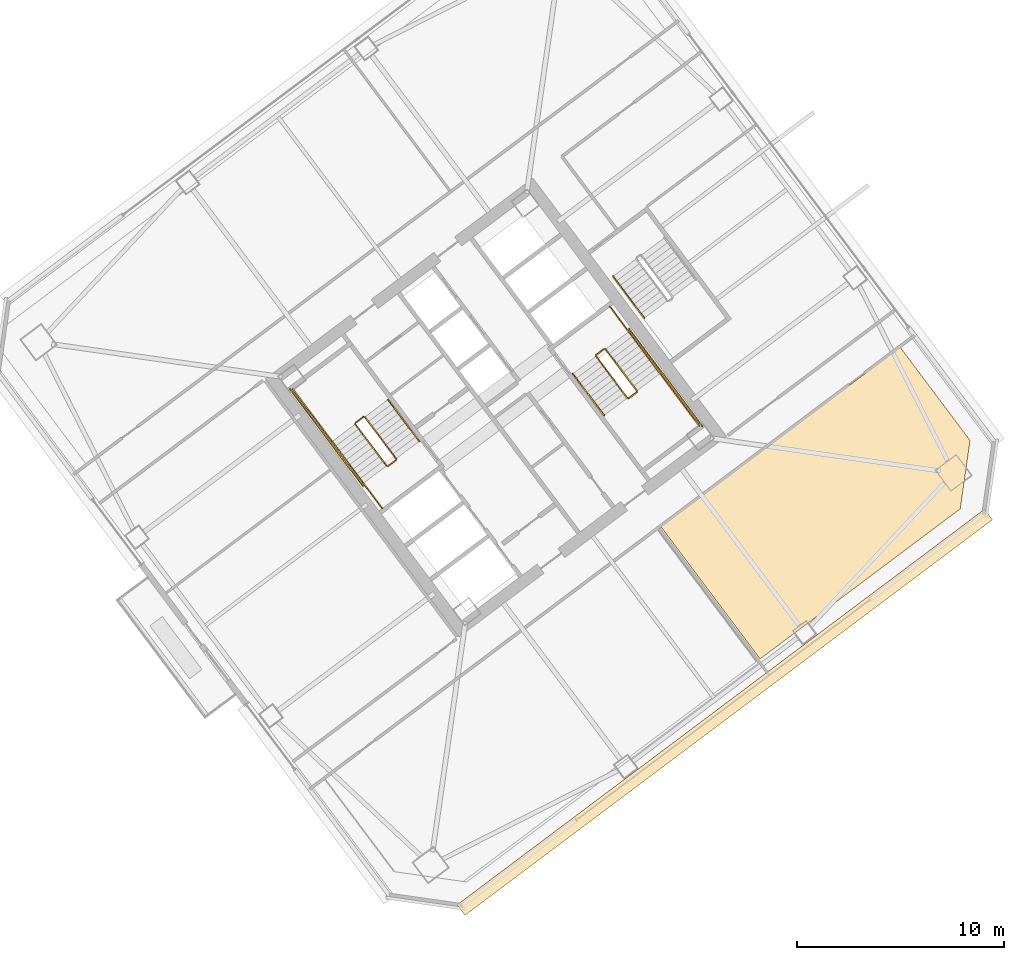
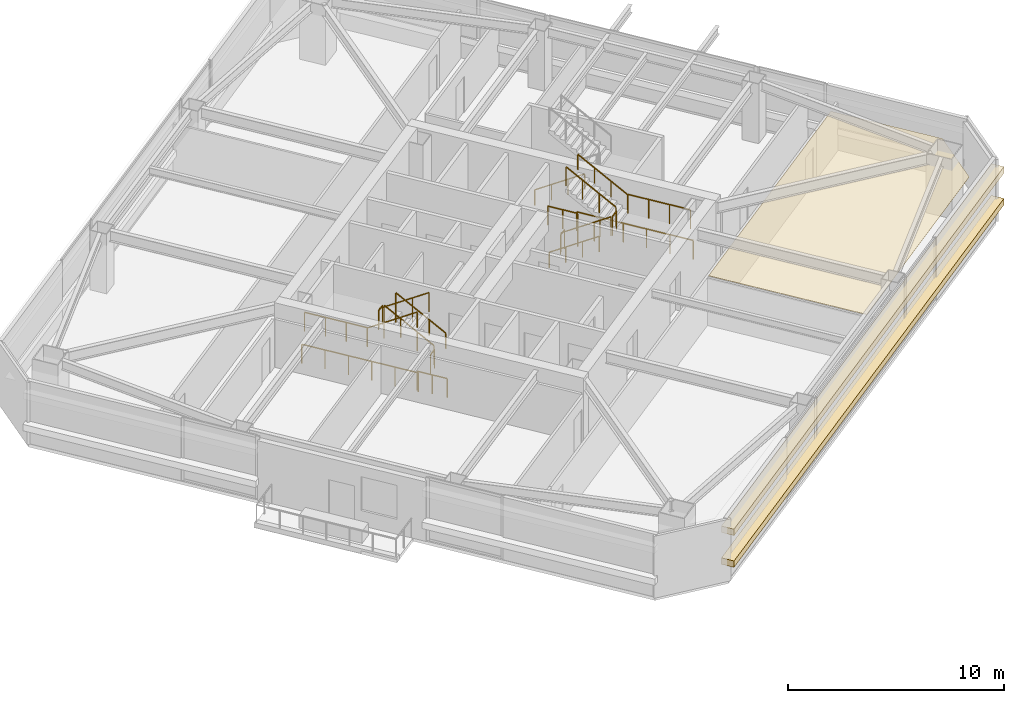
# One storey, part 38 of 40: 19 railings, 3 coverings.
"""IFC4 building model written with IfcOpenShell, lengths in metres."""

from ifc_helpers import new_model, si_unit, direction, frame, origin, origin_2d, place, context, subcontext, project, spatial, polyline, rectangle, outline, extrude, material, layer, layer_set, type_object, element, save


model = new_model("IFC4")

# Units and contexts
model_context = context("Model", 3, precision=1e-05, world=origin(), true_north=direction((0.0, 1.0)))
body_context = subcontext(model_context, "Body", "Model", "MODEL_VIEW")
ifc_project = project(units=[si_unit("LENGTHUNIT", "METRE"), si_unit("AREAUNIT", "SQUARE_METRE"), si_unit("VOLUMEUNIT", "CUBIC_METRE"), si_unit("PLANEANGLEUNIT", "RADIAN"), si_unit("MASSUNIT", "GRAM", prefix="KILO")], contexts=[model_context])

# Site, building, storey
site_placement = place(None, origin())
site = spatial("IfcSite", under=ifc_project, at=site_placement, CompositionType="ELEMENT")
building_placement = place(site_placement, origin())
building = spatial("IfcBuilding", under=site, at=building_placement, Name="Tashvorn Skyway Center", CompositionType="ELEMENT")
storey_placement = place(building_placement, frame((0.0, 0.0, 142.800048828125)))
storey = spatial("IfcBuildingStorey", under=building, at=storey_placement, Name="L38", CompositionType="ELEMENT", Elevation=142.800048828125)

# Coverings
ifc_material_1 = material(Name="Mineral-fibre acoustic ceiling tile on suspended grid")
ifc_layer_1 = layer(ifc_material_1, 0.02001953125)
ifc_layer_set_1 = layer_set([ifc_layer_1], Name="Mineral-fibre acoustic ceiling tile on suspended grid")
covering_type_1 = type_object("IfcCoveringType", Name="COV-CEIL-20", PredefinedType="CEILING", material=ifc_layer_set_1)
covering_placement = place(storey_placement, frame((0.0, 0.0, 2.702880859375)))
element("IfcCovering", 1, at=covering_placement, inside=storey, type_object=covering_type_1, Name="Tower 2 L38 Reading Lounge Acoustic Ceiling", PredefinedType="CEILING", context=body_context, shape_type="SweptSolid", body=[
    extrude(outline(polyline([(126.763916015625, 19.847900390625), (121.969970703125, 26.239990234375), (133.5380859375, 34.916015625), (136.916015625, 30.412109375), (136.444091796875, 27.10791015625), (126.763916015625, 19.847900390625)])), origin(), (0.0, 0.0, 1.0), 0.02001953125),
])
ifc_material_2 = material(Name="Perforated ceramic-coated bronze aluminium solar screen", Category="aluminium")
ifc_layer_2 = layer(ifc_material_2, 0.85009765625)
ifc_layer_set_2 = layer_set([ifc_layer_2], Name="Perforated ceramic-coated bronze aluminium solar screen")
covering_type_2 = type_object("IfcCoveringType", Name="COV-SOLAR-BAND", PredefinedType="CLADDING", material=ifc_layer_set_2)
for number, where, z_axis, x_axis, name in (
    (2, (125.052001953125, 17.263916015625, 0.919921875), (0.0, 0.0, 1.0), (-0.799999996291, -0.600000004945, 0.0), "L38 Perforated Ceramic-Metal Solar Screen Louvre Band South 1"),
    (3, (125.052001953125, 17.263916015625, 2.7197265625), (0.0, 0.0, 1.0), (-0.799999996291, -0.600000004945, 0.0), "L38 Perforated Ceramic-Metal Solar Screen Louvre Band South 2"),
):
    element("IfcCovering", number, at=place(storey_placement, frame(where, z_axis=z_axis, x_axis=x_axis)), inside=storey, type_object=covering_type_2, Name=name, PredefinedType="CLADDING", context=body_context, shape_type="SweptSolid", body=[
        extrude(rectangle(XDim=31.8798828125, YDim=0.639892578125, at=origin_2d()), origin(), (0.0, 0.0, 1.0), 0.360107421875),
    ])

# Railings
ifc_material_3 = material(Name="Brushed stainless steel 316", Category="steel")
railing_type_1 = type_object("IfcRailingType", Name="RAIL-HAND-920", PredefinedType="HANDRAIL", material=ifc_material_3)
railing_1_placement = place(storey_placement, frame((110.2880859375, 30.365966796875, 0.177490234375)))
element("IfcRailing", 4, at=railing_1_placement, inside=storey, type_object=railing_type_1, Name="L38 ST-T2-1 stair handrail 1", PredefinedType="HANDRAIL", context=body_context, shape_type="SweptSolid", body=[
    extrude(rectangle(XDim=0.048095703125, YDim=0.048095703125, at=origin_2d()), frame((0.0, 0.0, 0.8759765625), z_axis=(-0.506801609611, 0.675680931896, 0.535357270211), x_axis=(-0.799976749893, -0.600030998891, 0.0)), (0.0, 0.0, 1.0), 2.98388671875),
    extrude(rectangle(XDim=0.0419921875, YDim=0.0419921875, at=origin_2d()), origin(), (0.0, 0.0, 1.0), 0.851806640625),
    extrude(rectangle(XDim=0.0419921875, YDim=0.0419921875, at=origin_2d()), frame((-0.504150390625, 0.672119140625, 0.532470703125)), (0.0, 0.0, 1.0), 0.851806640625),
    extrude(rectangle(XDim=0.0419921875, YDim=0.0419921875, at=origin_2d()), frame((-1.008056640625, 1.343994140625, 1.06494140625)), (0.0, 0.0, 1.0), 0.851806640625),
    extrude(rectangle(XDim=0.0419921875, YDim=0.0419921875, at=origin_2d()), frame((-1.51220703125, 2.01611328125, 1.597412109375)), (0.0, 0.0, 1.0), 0.851806640625),
])
railing_2_placement = place(storey_placement, frame((106.072021484375, 30.35400390625, 1.952392578125)))
element("IfcRailing", 5, at=railing_2_placement, inside=storey, type_object=railing_type_1, Name="L38 ST-T2-1 stair handrail 2", PredefinedType="HANDRAIL", context=body_context, shape_type="SweptSolid", body=[
    extrude(rectangle(XDim=0.048095703125, YDim=0.048095703125, at=origin_2d()), frame((0.0, 0.0, 0.8759765625), z_axis=(0.506718600913, -0.675679348675, 0.535437836974), x_axis=(0.800023250257, 0.599968998406, 0.0)), (0.0, 0.0, 1.0), 2.98388671875),
    extrude(rectangle(XDim=0.0419921875, YDim=0.0419921875, at=origin_2d()), origin(), (0.0, 0.0, 1.0), 0.851806640625),
    extrude(rectangle(XDim=0.0419921875, YDim=0.0419921875, at=origin_2d()), frame((0.50390625, -0.672119140625, 0.532470703125)), (0.0, 0.0, 1.0), 0.851806640625),
    extrude(rectangle(XDim=0.0419921875, YDim=0.0419921875, at=origin_2d()), frame((1.008056640625, -1.343994140625, 1.065185546875)), (0.0, 0.0, 1.0), 0.851806640625),
    extrude(rectangle(XDim=0.0419921875, YDim=0.0419921875, at=origin_2d()), frame((1.511962890625, -2.01611328125, 1.59765625)), (0.0, 0.0, 1.0), 0.851806640625),
])
railing_3_placement = place(storey_placement, frame((117.7119140625, 33.634033203125, 0.177490234375)))
element("IfcRailing", 6, at=railing_3_placement, inside=storey, type_object=railing_type_1, Name="L38 ST-T2-2 stair handrail 1", PredefinedType="HANDRAIL", context=body_context, shape_type="SweptSolid", body=[
    extrude(rectangle(XDim=0.048095703125, YDim=0.048095703125, at=origin_2d()), frame((0.0, 0.0, 0.8759765625), z_axis=(0.506801609611, -0.675680931896, 0.535357270211), x_axis=(0.799976749893, 0.600030998891, 0.0)), (0.0, 0.0, 1.0), 2.98388671875),
    extrude(rectangle(XDim=0.0419921875, YDim=0.0419921875, at=origin_2d()), origin(), (0.0, 0.0, 1.0), 0.851806640625),
    extrude(rectangle(XDim=0.0419921875, YDim=0.0419921875, at=origin_2d()), frame((0.504150390625, -0.672119140625, 0.532470703125)), (0.0, 0.0, 1.0), 0.851806640625),
    extrude(rectangle(XDim=0.0419921875, YDim=0.0419921875, at=origin_2d()), frame((1.008056640625, -1.343994140625, 1.06494140625)), (0.0, 0.0, 1.0), 0.851806640625),
    extrude(rectangle(XDim=0.0419921875, YDim=0.0419921875, at=origin_2d()), frame((1.51220703125, -2.01611328125, 1.597412109375)), (0.0, 0.0, 1.0), 0.851806640625),
])
railing_4_placement = place(storey_placement, frame((121.927978515625, 33.64599609375, 1.952392578125)))
element("IfcRailing", 7, at=railing_4_placement, inside=storey, type_object=railing_type_1, Name="L38 ST-T2-2 stair handrail 2", PredefinedType="HANDRAIL", context=body_context, shape_type="SweptSolid", body=[
    extrude(rectangle(XDim=0.048095703125, YDim=0.048095703125, at=origin_2d()), frame((0.0, 0.0, 0.8759765625), z_axis=(-0.506718600913, 0.675679348675, 0.535437836974), x_axis=(-0.800023250257, -0.599968998406, 0.0)), (0.0, 0.0, 1.0), 2.98388671875),
    extrude(rectangle(XDim=0.0419921875, YDim=0.0419921875, at=origin_2d()), origin(), (0.0, 0.0, 1.0), 0.851806640625),
    extrude(rectangle(XDim=0.0419921875, YDim=0.0419921875, at=origin_2d()), frame((-0.50390625, 0.672119140625, 0.532470703125)), (0.0, 0.0, 1.0), 0.851806640625),
    extrude(rectangle(XDim=0.0419921875, YDim=0.0419921875, at=origin_2d()), frame((-1.008056640625, 1.343994140625, 1.065185546875)), (0.0, 0.0, 1.0), 0.851806640625),
    extrude(rectangle(XDim=0.0419921875, YDim=0.0419921875, at=origin_2d()), frame((-1.511962890625, 2.01611328125, 1.59765625)), (0.0, 0.0, 1.0), 0.851806640625),
])
railing_5_placement = place(storey_placement, frame((119.656005859375, 38.342041015625, 0.177490234375)))
element("IfcRailing", 8, at=railing_5_placement, inside=storey, type_object=railing_type_1, Name="L38 ST-T2-3 stair handrail 1", PredefinedType="HANDRAIL", context=body_context, shape_type="SweptSolid", body=[
    extrude(rectangle(XDim=0.048095703125, YDim=0.048095703125, at=origin_2d()), frame((0.0, 0.0, 0.8759765625), z_axis=(0.506740800098, -0.675708949977, 0.535379469569), x_axis=(0.800023250257, 0.599968998406, 0.0)), (0.0, 0.0, 1.0), 2.983642578125),
    extrude(rectangle(XDim=0.0419921875, YDim=0.0419921875, at=origin_2d()), origin(), (0.0, 0.0, 1.0), 0.851806640625),
    extrude(rectangle(XDim=0.0419921875, YDim=0.0419921875, at=origin_2d()), frame((0.50390625, -0.672119140625, 0.532470703125)), (0.0, 0.0, 1.0), 0.851806640625),
    extrude(rectangle(XDim=0.0419921875, YDim=0.0419921875, at=origin_2d()), frame((1.008056640625, -1.343994140625, 1.06494140625)), (0.0, 0.0, 1.0), 0.851806640625),
    extrude(rectangle(XDim=0.0419921875, YDim=0.0419921875, at=origin_2d()), frame((1.511962890625, -2.01611328125, 1.597412109375)), (0.0, 0.0, 1.0), 0.851806640625),
])
ifc_material_4 = material(Name="Painted galvanized steel S355", Category="steel")
railing_type_2 = type_object("IfcRailingType", Name="RAIL-STGUARD-1100", PredefinedType="GUARDRAIL", material=ifc_material_4)
railing_6_placement = place(storey_placement, frame((109.16796875, 29.52587890625, 0.177490234375)))
element("IfcRailing", 9, at=railing_6_placement, inside=storey, type_object=railing_type_2, Name="L38 ST-T2-1 stair guard 1", PredefinedType="GUARDRAIL", context=body_context, shape_type="SweptSolid", body=[
    extrude(rectangle(XDim=0.048095703125, YDim=0.048095703125, at=origin_2d()), frame((0.0, 0.0, 1.076171875), z_axis=(-0.506740800098, 0.675708949977, 0.535379469569), x_axis=(-0.800023250257, -0.599968998406, 0.0)), (0.0, 0.0, 1.0), 2.983642578125),
    extrude(rectangle(XDim=0.0419921875, YDim=0.0419921875, at=origin_2d()), origin(), (0.0, 0.0, 1.0), 1.052001953125),
    extrude(rectangle(XDim=0.0419921875, YDim=0.0419921875, at=origin_2d()), frame((-0.50390625, 0.672119140625, 0.532470703125)), (0.0, 0.0, 1.0), 1.052001953125),
    extrude(rectangle(XDim=0.0419921875, YDim=0.0419921875, at=origin_2d()), frame((-1.008056640625, 1.343994140625, 1.06494140625)), (0.0, 0.0, 1.0), 1.052001953125),
    extrude(rectangle(XDim=0.0419921875, YDim=0.0419921875, at=origin_2d()), frame((-1.511962890625, 2.01611328125, 1.597412109375)), (0.0, 0.0, 1.0), 1.052001953125),
])
railing_7_placement = place(storey_placement, frame((107.5859375, 31.552001953125, 1.77490234375)))
element("IfcRailing", 10, at=railing_7_placement, inside=storey, type_object=railing_type_2, Name="L38 ST-T2-1 stair guard 2", PredefinedType="GUARDRAIL", context=body_context, shape_type="SweptSolid", body=[
    extrude(rectangle(XDim=0.048095703125, YDim=0.048095703125, at=origin_2d()), frame((0.0, 0.0, 1.076171875), z_axis=(-0.799938970639, -0.600081363861, 0.0), x_axis=(0.600081363861, -0.799938970639, 0.0)), (0.0, 0.0, 1.0), 0.47998046875),
    extrude(rectangle(XDim=0.0419921875, YDim=0.0419921875, at=origin_2d()), origin(), (0.0, 0.0, 1.0), 1.052001953125),
    extrude(rectangle(XDim=0.0419921875, YDim=0.0419921875, at=origin_2d()), frame((-0.384033203125, -0.2880859375, 0.0)), (0.0, 0.0, 1.0), 1.052001953125),
])
railing_8_placement = place(storey_placement, frame((106.072021484375, 30.35400390625, 1.77490234375)))
element("IfcRailing", 11, at=railing_8_placement, inside=storey, type_object=railing_type_2, Name="L38 ST-T2-1 stair guard 3", PredefinedType="GUARDRAIL", context=body_context, shape_type="SweptSolid", body=[
    extrude(rectangle(XDim=0.048095703125, YDim=0.048095703125, at=origin_2d()), frame((0.0, 0.0, 1.076171875), z_axis=(-0.599987638607, 0.800009270896, 0.0), x_axis=(-0.800009270896, -0.599987638607, 0.0)), (0.0, 0.0, 1.0), 3.16015625),
    extrude(rectangle(XDim=0.0419921875, YDim=0.0419921875, at=origin_2d()), origin(), (0.0, 0.0, 1.0), 1.052001953125),
    extrude(rectangle(XDim=0.0419921875, YDim=0.0419921875, at=origin_2d()), frame((-0.632080078125, 0.8427734375, 0.0)), (0.0, 0.0, 1.0), 1.052001953125),
    extrude(rectangle(XDim=0.0419921875, YDim=0.0419921875, at=origin_2d()), frame((-1.263916015625, 1.685302734375, 0.0)), (0.0, 0.0, 1.0), 1.052001953125),
    extrude(rectangle(XDim=0.0419921875, YDim=0.0419921875, at=origin_2d()), frame((-1.89599609375, 2.528076171875, 0.0)), (0.0, 0.0, 1.0), 1.052001953125),
])
railing_9_placement = place(storey_placement, frame((107.19189453125, 31.194091796875, 1.952392578125)))
element("IfcRailing", 12, at=railing_9_placement, inside=storey, type_object=railing_type_2, Name="L38 ST-T2-1 stair guard 4", PredefinedType="GUARDRAIL", context=body_context, shape_type="SweptSolid", body=[
    extrude(rectangle(XDim=0.048095703125, YDim=0.048095703125, at=origin_2d()), frame((0.0, 0.0, 1.076171875), z_axis=(0.506779409603, -0.675651334276, 0.53541563714), x_axis=(0.799976749893, 0.600030998891, 0.0)), (0.0, 0.0, 1.0), 2.98388671875),
    extrude(rectangle(XDim=0.0419921875, YDim=0.0419921875, at=origin_2d()), origin(), (0.0, 0.0, 1.0), 1.052001953125),
    extrude(rectangle(XDim=0.0419921875, YDim=0.0419921875, at=origin_2d()), frame((0.504150390625, -0.672119140625, 0.532470703125)), (0.0, 0.0, 1.0), 1.052001953125),
    extrude(rectangle(XDim=0.0419921875, YDim=0.0419921875, at=origin_2d()), frame((1.008056640625, -1.343994140625, 1.065185546875)), (0.0, 0.0, 1.0), 1.052001953125),
    extrude(rectangle(XDim=0.0419921875, YDim=0.0419921875, at=origin_2d()), frame((1.51220703125, -2.01611328125, 1.59765625)), (0.0, 0.0, 1.0), 1.052001953125),
])
railing_10_placement = place(storey_placement, frame((109.157958984375, 29.4560546875, 0.0)))
element("IfcRailing", 13, at=railing_10_placement, inside=storey, type_object=railing_type_2, Name="L38 ST-T2-1 stair guard 5", PredefinedType="GUARDRAIL", context=body_context, shape_type="SweptSolid", body=[
    extrude(rectangle(XDim=0.048095703125, YDim=0.048095703125, at=origin_2d()), frame((0.0, 0.0, 1.076171875), z_axis=(-0.799938970639, -0.600081363861, 0.0), x_axis=(0.600081363861, -0.799938970639, 0.0)), (0.0, 0.0, 1.0), 0.47998046875),
    extrude(rectangle(XDim=0.0419921875, YDim=0.0419921875, at=origin_2d()), origin(), (0.0, 0.0, 1.0), 1.052001953125),
    extrude(rectangle(XDim=0.0419921875, YDim=0.0419921875, at=origin_2d()), frame((-0.384033203125, -0.2880859375, 0.0)), (0.0, 0.0, 1.0), 1.052001953125),
])
railing_11_placement = place(storey_placement, frame((108.49609375, 27.1220703125, 0.0)))
element("IfcRailing", 14, at=railing_11_placement, inside=storey, type_object=railing_type_2, Name="L38 ST-T2-1 stair guard 6", PredefinedType="GUARDRAIL", context=body_context, shape_type="SweptSolid", body=[
    extrude(rectangle(XDim=0.048095703125, YDim=0.048095703125, at=origin_2d()), frame((0.0, 0.0, 1.076171875), z_axis=(-0.600102796382, 0.799922892393, 0.0), x_axis=(-0.799922892393, -0.600102796382, 0.0)), (0.0, 0.0, 1.0), 1.52001953125),
    extrude(rectangle(XDim=0.0419921875, YDim=0.0419921875, at=origin_2d()), origin(), (0.0, 0.0, 1.0), 1.052001953125),
    extrude(rectangle(XDim=0.0419921875, YDim=0.0419921875, at=origin_2d()), frame((-0.4560546875, 0.60791015625, 0.0)), (0.0, 0.0, 1.0), 1.052001953125),
    extrude(rectangle(XDim=0.0419921875, YDim=0.0419921875, at=origin_2d()), frame((-0.912109375, 1.2158203125, 0.0)), (0.0, 0.0, 1.0), 1.052001953125),
])
railing_12_placement = place(storey_placement, frame((107.56396484375, 28.197998046875, 0.0)))
element("IfcRailing", 15, at=railing_12_placement, inside=storey, type_object=railing_type_2, Name="L38 ST-T2-1 stair guard 7", PredefinedType="GUARDRAIL", context=body_context, shape_type="SweptSolid", body=[
    extrude(rectangle(XDim=0.048095703125, YDim=0.048095703125, at=origin_2d()), frame((0.0, 0.0, 1.076171875), z_axis=(-0.6, 0.8, 0.0), x_axis=(-0.8, -0.6, 0.0)), (0.0, 0.0, 1.0), 5.880126953125),
    extrude(rectangle(XDim=0.0419921875, YDim=0.0419921875, at=origin_2d()), origin(), (0.0, 0.0, 1.0), 1.052001953125),
    extrude(rectangle(XDim=0.0419921875, YDim=0.0419921875, at=origin_2d()), frame((-0.70556640625, 0.94091796875, 0.0)), (0.0, 0.0, 1.0), 1.052001953125),
    extrude(rectangle(XDim=0.0419921875, YDim=0.0419921875, at=origin_2d()), frame((-1.4111328125, 1.881591796875, 0.0)), (0.0, 0.0, 1.0), 1.052001953125),
    extrude(rectangle(XDim=0.0419921875, YDim=0.0419921875, at=origin_2d()), frame((-2.116943359375, 2.822509765625, 0.0)), (0.0, 0.0, 1.0), 1.052001953125),
    extrude(rectangle(XDim=0.0419921875, YDim=0.0419921875, at=origin_2d()), frame((-2.822509765625, 3.76318359375, 0.0)), (0.0, 0.0, 1.0), 1.052001953125),
    extrude(rectangle(XDim=0.0419921875, YDim=0.0419921875, at=origin_2d()), frame((-3.528076171875, 4.7041015625, 0.0)), (0.0, 0.0, 1.0), 1.052001953125),
])
railing_13_placement = place(storey_placement, frame((118.83203125, 34.47412109375, 0.177490234375)))
element("IfcRailing", 16, at=railing_13_placement, inside=storey, type_object=railing_type_2, Name="L38 ST-T2-2 stair guard 1", PredefinedType="GUARDRAIL", context=body_context, shape_type="SweptSolid", body=[
    extrude(rectangle(XDim=0.048095703125, YDim=0.048095703125, at=origin_2d()), frame((0.0, 0.0, 1.076171875), z_axis=(0.506740800098, -0.675708949977, 0.535379469569), x_axis=(0.800023250257, 0.599968998406, 0.0)), (0.0, 0.0, 1.0), 2.983642578125),
    extrude(rectangle(XDim=0.0419921875, YDim=0.0419921875, at=origin_2d()), origin(), (0.0, 0.0, 1.0), 1.052001953125),
    extrude(rectangle(XDim=0.0419921875, YDim=0.0419921875, at=origin_2d()), frame((0.50390625, -0.672119140625, 0.532470703125)), (0.0, 0.0, 1.0), 1.052001953125),
    extrude(rectangle(XDim=0.0419921875, YDim=0.0419921875, at=origin_2d()), frame((1.008056640625, -1.343994140625, 1.06494140625)), (0.0, 0.0, 1.0), 1.052001953125),
    extrude(rectangle(XDim=0.0419921875, YDim=0.0419921875, at=origin_2d()), frame((1.511962890625, -2.01611328125, 1.597412109375)), (0.0, 0.0, 1.0), 1.052001953125),
])
railing_14_placement = place(storey_placement, frame((120.4140625, 32.447998046875, 1.77490234375)))
element("IfcRailing", 17, at=railing_14_placement, inside=storey, type_object=railing_type_2, Name="L38 ST-T2-2 stair guard 2", PredefinedType="GUARDRAIL", context=body_context, shape_type="SweptSolid", body=[
    extrude(rectangle(XDim=0.048095703125, YDim=0.048095703125, at=origin_2d()), frame((0.0, 0.0, 1.076171875), z_axis=(0.799938970639, 0.600081363861, 0.0), x_axis=(-0.600081363861, 0.799938970639, 0.0)), (0.0, 0.0, 1.0), 0.47998046875),
    extrude(rectangle(XDim=0.0419921875, YDim=0.0419921875, at=origin_2d()), origin(), (0.0, 0.0, 1.0), 1.052001953125),
    extrude(rectangle(XDim=0.0419921875, YDim=0.0419921875, at=origin_2d()), frame((0.384033203125, 0.2880859375, 0.0)), (0.0, 0.0, 1.0), 1.052001953125),
])
railing_15_placement = place(storey_placement, frame((121.927978515625, 33.64599609375, 1.77490234375)))
element("IfcRailing", 18, at=railing_15_placement, inside=storey, type_object=railing_type_2, Name="L38 ST-T2-2 stair guard 3", PredefinedType="GUARDRAIL", context=body_context, shape_type="SweptSolid", body=[
    extrude(rectangle(XDim=0.048095703125, YDim=0.048095703125, at=origin_2d()), frame((0.0, 0.0, 1.076171875), z_axis=(0.599987638607, -0.800009270896, 0.0), x_axis=(0.800009270896, 0.599987638607, 0.0)), (0.0, 0.0, 1.0), 3.16015625),
    extrude(rectangle(XDim=0.0419921875, YDim=0.0419921875, at=origin_2d()), origin(), (0.0, 0.0, 1.0), 1.052001953125),
    extrude(rectangle(XDim=0.0419921875, YDim=0.0419921875, at=origin_2d()), frame((0.632080078125, -0.8427734375, 0.0)), (0.0, 0.0, 1.0), 1.052001953125),
    extrude(rectangle(XDim=0.0419921875, YDim=0.0419921875, at=origin_2d()), frame((1.263916015625, -1.685302734375, 0.0)), (0.0, 0.0, 1.0), 1.052001953125),
    extrude(rectangle(XDim=0.0419921875, YDim=0.0419921875, at=origin_2d()), frame((1.89599609375, -2.528076171875, 0.0)), (0.0, 0.0, 1.0), 1.052001953125),
])
railing_16_placement = place(storey_placement, frame((120.80810546875, 32.805908203125, 1.952392578125)))
element("IfcRailing", 19, at=railing_16_placement, inside=storey, type_object=railing_type_2, Name="L38 ST-T2-2 stair guard 4", PredefinedType="GUARDRAIL", context=body_context, shape_type="SweptSolid", body=[
    extrude(rectangle(XDim=0.048095703125, YDim=0.048095703125, at=origin_2d()), frame((0.0, 0.0, 1.076171875), z_axis=(-0.506779409603, 0.675651334276, 0.53541563714), x_axis=(-0.799976749893, -0.600030998891, 0.0)), (0.0, 0.0, 1.0), 2.98388671875),
    extrude(rectangle(XDim=0.0419921875, YDim=0.0419921875, at=origin_2d()), origin(), (0.0, 0.0, 1.0), 1.052001953125),
    extrude(rectangle(XDim=0.0419921875, YDim=0.0419921875, at=origin_2d()), frame((-0.504150390625, 0.672119140625, 0.532470703125)), (0.0, 0.0, 1.0), 1.052001953125),
    extrude(rectangle(XDim=0.0419921875, YDim=0.0419921875, at=origin_2d()), frame((-1.008056640625, 1.343994140625, 1.065185546875)), (0.0, 0.0, 1.0), 1.052001953125),
    extrude(rectangle(XDim=0.0419921875, YDim=0.0419921875, at=origin_2d()), frame((-1.51220703125, 2.01611328125, 1.59765625)), (0.0, 0.0, 1.0), 1.052001953125),
])
railing_17_placement = place(storey_placement, frame((118.842041015625, 34.5439453125, 0.0)))
element("IfcRailing", 20, at=railing_17_placement, inside=storey, type_object=railing_type_2, Name="L38 ST-T2-2 stair guard 5", PredefinedType="GUARDRAIL", context=body_context, shape_type="SweptSolid", body=[
    extrude(rectangle(XDim=0.048095703125, YDim=0.048095703125, at=origin_2d()), frame((0.0, 0.0, 1.076171875), z_axis=(0.799938970639, 0.600081363861, 0.0), x_axis=(-0.600081363861, 0.799938970639, 0.0)), (0.0, 0.0, 1.0), 0.47998046875),
    extrude(rectangle(XDim=0.0419921875, YDim=0.0419921875, at=origin_2d()), origin(), (0.0, 0.0, 1.0), 1.052001953125),
    extrude(rectangle(XDim=0.0419921875, YDim=0.0419921875, at=origin_2d()), frame((0.384033203125, 0.2880859375, 0.0)), (0.0, 0.0, 1.0), 1.052001953125),
])
railing_18_placement = place(storey_placement, frame((119.50390625, 36.8779296875, 0.0)))
element("IfcRailing", 21, at=railing_18_placement, inside=storey, type_object=railing_type_2, Name="L38 ST-T2-2 stair guard 6", PredefinedType="GUARDRAIL", context=body_context, shape_type="SweptSolid", body=[
    extrude(rectangle(XDim=0.048095703125, YDim=0.048095703125, at=origin_2d()), frame((0.0, 0.0, 1.076171875), z_axis=(0.600102796382, -0.799922892393, 0.0), x_axis=(0.799922892393, 0.600102796382, 0.0)), (0.0, 0.0, 1.0), 1.52001953125),
    extrude(rectangle(XDim=0.0419921875, YDim=0.0419921875, at=origin_2d()), origin(), (0.0, 0.0, 1.0), 1.052001953125),
    extrude(rectangle(XDim=0.0419921875, YDim=0.0419921875, at=origin_2d()), frame((0.4560546875, -0.60791015625, 0.0)), (0.0, 0.0, 1.0), 1.052001953125),
    extrude(rectangle(XDim=0.0419921875, YDim=0.0419921875, at=origin_2d()), frame((0.912109375, -1.2158203125, 0.0)), (0.0, 0.0, 1.0), 1.052001953125),
])
railing_19_placement = place(storey_placement, frame((120.43603515625, 35.802001953125, 0.0)))
element("IfcRailing", 22, at=railing_19_placement, inside=storey, type_object=railing_type_2, Name="L38 ST-T2-2 stair guard 7", PredefinedType="GUARDRAIL", context=body_context, shape_type="SweptSolid", body=[
    extrude(rectangle(XDim=0.048095703125, YDim=0.048095703125, at=origin_2d()), frame((0.0, 0.0, 1.076171875), z_axis=(0.6, -0.8, 0.0), x_axis=(0.8, 0.6, 0.0)), (0.0, 0.0, 1.0), 5.880126953125),
    extrude(rectangle(XDim=0.0419921875, YDim=0.0419921875, at=origin_2d()), origin(), (0.0, 0.0, 1.0), 1.052001953125),
    extrude(rectangle(XDim=0.0419921875, YDim=0.0419921875, at=origin_2d()), frame((0.70556640625, -0.94091796875, 0.0)), (0.0, 0.0, 1.0), 1.052001953125),
    extrude(rectangle(XDim=0.0419921875, YDim=0.0419921875, at=origin_2d()), frame((1.4111328125, -1.881591796875, 0.0)), (0.0, 0.0, 1.0), 1.052001953125),
    extrude(rectangle(XDim=0.0419921875, YDim=0.0419921875, at=origin_2d()), frame((2.116943359375, -2.822509765625, 0.0)), (0.0, 0.0, 1.0), 1.052001953125),
    extrude(rectangle(XDim=0.0419921875, YDim=0.0419921875, at=origin_2d()), frame((2.822509765625, -3.76318359375, 0.0)), (0.0, 0.0, 1.0), 1.052001953125),
    extrude(rectangle(XDim=0.0419921875, YDim=0.0419921875, at=origin_2d()), frame((3.528076171875, -4.7041015625, 0.0)), (0.0, 0.0, 1.0), 1.052001953125),
])

save(model, "model.ifc")
